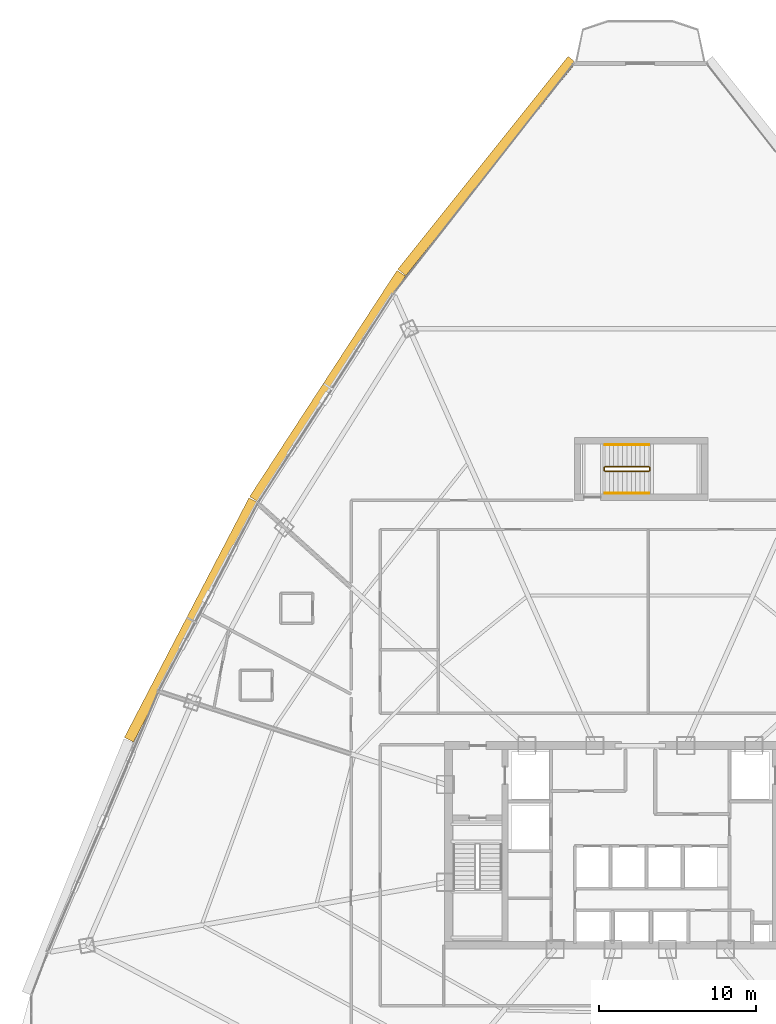
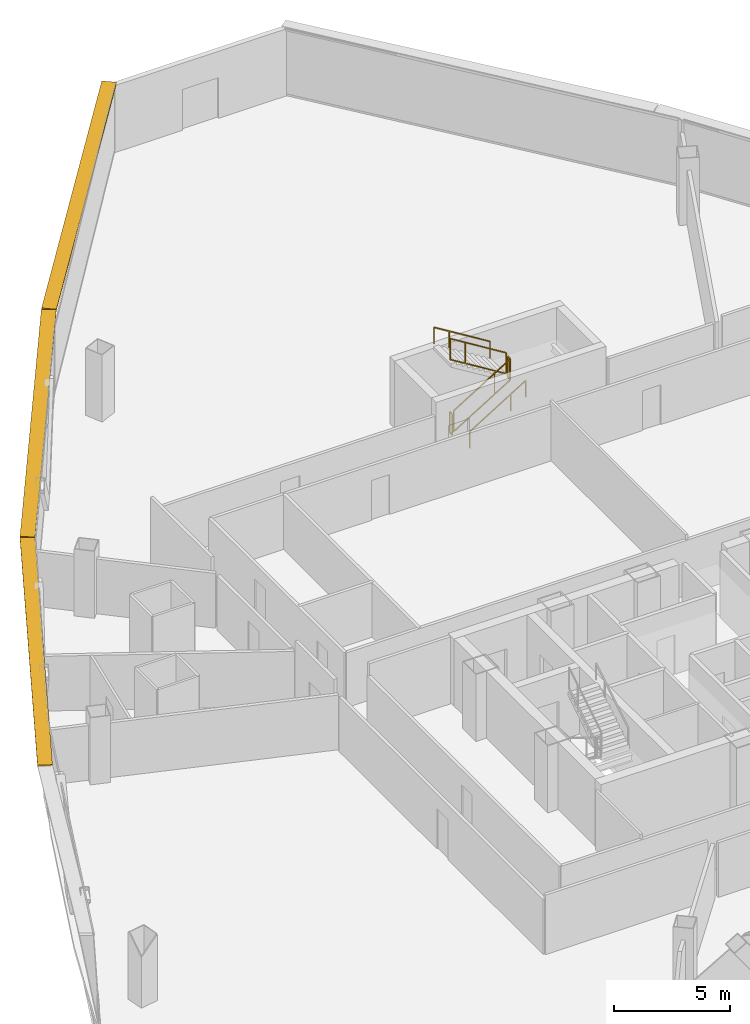
# One storey, part 39 of 40: 6 railings, 3 shading devices.
"""IFC4 building model written with IfcOpenShell, lengths in metres."""

from ifc_helpers import new_model, si_unit, direction, frame, origin, origin_2d, place, context, subcontext, project, spatial, rectangle, extrude, source, transform, mapped, material, layer, layer_set, type_object, element, save


model = new_model("IFC4")

# Units and contexts
model_context = context("Model", 3, precision=1e-05, world=origin(), true_north=direction((0.0, 1.0)))
body_context = subcontext(model_context, "Body", "Model", "MODEL_VIEW")
ifc_project = project(units=[si_unit("LENGTHUNIT", "METRE"), si_unit("AREAUNIT", "SQUARE_METRE"), si_unit("VOLUMEUNIT", "CUBIC_METRE"), si_unit("PLANEANGLEUNIT", "RADIAN"), si_unit("MASSUNIT", "GRAM", prefix="KILO"), si_unit("THERMODYNAMICTEMPERATUREUNIT", "KELVIN"), si_unit("POWERUNIT", "WATT")], contexts=[model_context])

# Site, building, storey
site_placement = place(None, origin())
site = spatial("IfcSite", under=ifc_project, at=site_placement, CompositionType="ELEMENT")
building_placement = place(site_placement, origin())
building = spatial("IfcBuilding", under=site, at=building_placement, Name="Yunzhuo Pagoda Commons", CompositionType="ELEMENT")
storey_placement = place(building_placement, frame((0.0, 0.0, 184.760009765625)))
storey = spatial("IfcBuildingStorey", under=building, at=storey_placement, Name="L46", CompositionType="ELEMENT", Elevation=184.760009765625)

# Railings
ifc_material = material(Name="Anodized aluminium 6063-T6", Category="aluminium")
railing_type_1 = type_object("IfcRailingType", Name="GR-ST3 North Well Guardrail 1155", PredefinedType="GUARDRAIL", material=ifc_material)
railing_1_placement = place(storey_placement, frame((45.75, 57.64990234375, 0.172607421875)))
element("IfcRailing", 1, at=railing_1_placement, inside=storey, type_object=railing_type_1, Name="L46 ST3 stair guard 1", PredefinedType="GUARDRAIL", context=body_context, shape_type="SweptSolid", body=[
    extrude(rectangle(XDim=0.048095703125, YDim=0.048095703125, at=origin_2d()), frame((0.0, 0.0, 1.1259765625), z_axis=(0.851089632645, 0.0, 0.525020415988), x_axis=(0.0, 1.0, 0.0)), (0.0, 0.0, 1.0), 3.2900390625),
    extrude(rectangle(XDim=0.048095703125, YDim=0.048095703125, at=origin_2d()), frame((0.0, 0.0, 0.02392578125), z_axis=(0.851089632645, 0.0, 0.525020415988), x_axis=(0.0, 1.0, 0.0)), (0.0, 0.0, 1.0), 3.2900390625),
    extrude(rectangle(XDim=0.0419921875, YDim=0.0419921875, at=origin_2d()), origin(), (0.0, 0.0, 1.0), 1.101806640625),
    extrude(rectangle(XDim=0.0419921875, YDim=0.0419921875, at=origin_2d()), frame((2.042724609375, 0.0, 1.260009765625)), (0.0, 0.0, 1.0), 1.101806640625),
    extrude(rectangle(XDim=0.0419921875, YDim=0.0419921875, at=origin_2d()), frame((2.800048828125, 0.0, 1.727294921875)), (0.0, 0.0, 1.0), 1.101806640625),
])
railing_2_placement = place(storey_placement, frame((48.60009765625, 57.699951171875, 1.89990234375)))
element("IfcRailing", 2, at=railing_2_placement, inside=storey, type_object=railing_type_1, Name="L46 ST3 stair guard 2", PredefinedType="GUARDRAIL", context=body_context, shape_type="SweptSolid", body=[
    extrude(rectangle(XDim=0.048095703125, YDim=0.048095703125, at=origin_2d()), frame((0.0, 0.0, 1.1259765625), z_axis=(0.0, 1.0, 0.0), x_axis=(-1.0, 0.0, 0.0)), (0.0, 0.0, 1.0), 0.199951171875),
    extrude(rectangle(XDim=0.048095703125, YDim=0.048095703125, at=origin_2d()), frame((0.0, 0.0, 0.02392578125), z_axis=(0.0, 1.0, 0.0), x_axis=(-1.0, 0.0, 0.0)), (0.0, 0.0, 1.0), 0.199951171875),
    extrude(rectangle(XDim=0.0419921875, YDim=0.0419921875, at=origin_2d()), origin(), (0.0, 0.0, 1.0), 1.101806640625),
    extrude(rectangle(XDim=0.0419921875, YDim=0.0419921875, at=origin_2d()), frame((0.0, 0.199951171875, 0.0)), (0.0, 0.0, 1.0), 1.101806640625),
])
railing_3_placement = place(storey_placement, frame((48.550048828125, 57.949951171875, 2.07275390625)))
element("IfcRailing", 3, at=railing_3_placement, inside=storey, type_object=railing_type_1, Name="L46 ST3 stair guard 3", PredefinedType="GUARDRAIL", context=body_context, shape_type="SweptSolid", body=[
    extrude(rectangle(XDim=0.048095703125, YDim=0.048095703125, at=origin_2d()), frame((0.0, 0.0, 1.1259765625), z_axis=(-0.851089632645, 0.0, 0.525020415988), x_axis=(0.0, -1.0, 0.0)), (0.0, 0.0, 1.0), 3.2900390625),
    extrude(rectangle(XDim=0.048095703125, YDim=0.048095703125, at=origin_2d()), frame((0.0, 0.0, 0.02392578125), z_axis=(-0.851089632645, 0.0, 0.525020415988), x_axis=(0.0, -1.0, 0.0)), (0.0, 0.0, 1.0), 3.2900390625),
    extrude(rectangle(XDim=0.0419921875, YDim=0.0419921875, at=origin_2d()), origin(), (0.0, 0.0, 1.0), 1.101806640625),
    extrude(rectangle(XDim=0.0419921875, YDim=0.0419921875, at=origin_2d()), frame((-2.042724609375, 0.0, 1.260009765625)), (0.0, 0.0, 1.0), 1.101806640625),
    extrude(rectangle(XDim=0.0419921875, YDim=0.0419921875, at=origin_2d()), frame((-2.800048828125, 0.0, 1.727294921875)), (0.0, 0.0, 1.0), 1.101806640625),
])
railing_4_placement = place(storey_placement, frame((45.699951171875, 57.699951171875, 0.0)))
element("IfcRailing", 4, at=railing_4_placement, inside=storey, type_object=railing_type_1, Name="L46 ST3 stair guard 4", PredefinedType="GUARDRAIL", context=body_context, shape_type="SweptSolid", body=[
    extrude(rectangle(XDim=0.048095703125, YDim=0.048095703125, at=origin_2d()), frame((0.0, 0.0, 1.1259765625), z_axis=(0.0, 1.0, 0.0), x_axis=(-1.0, 0.0, 0.0)), (0.0, 0.0, 1.0), 0.199951171875),
    extrude(rectangle(XDim=0.048095703125, YDim=0.048095703125, at=origin_2d()), frame((0.0, 0.0, 0.02392578125), z_axis=(0.0, 1.0, 0.0), x_axis=(-1.0, 0.0, 0.0)), (0.0, 0.0, 1.0), 0.199951171875),
    extrude(rectangle(XDim=0.0419921875, YDim=0.0419921875, at=origin_2d()), origin(), (0.0, 0.0, 1.0), 1.101806640625),
    extrude(rectangle(XDim=0.0419921875, YDim=0.0419921875, at=origin_2d()), frame((0.0, 0.199951171875, 0.0)), (0.0, 0.0, 1.0), 1.101806640625),
])
railing_type_2 = type_object("IfcRailingType", Name="HR-ST3 North Stair Handrail 900", PredefinedType="HANDRAIL", material=ifc_material)
railing_5_placement = place(storey_placement, frame((45.75, 56.25, 0.172607421875)))
element("IfcRailing", 5, at=railing_5_placement, inside=storey, type_object=railing_type_2, Name="L46 ST3 stair handrail 1", PredefinedType="HANDRAIL", context=body_context, shape_type="SweptSolid", body=[
    extrude(rectangle(XDim=0.048095703125, YDim=0.048095703125, at=origin_2d()), frame((0.0, 0.0, 0.8759765625), z_axis=(0.851089632645, 0.0, 0.525020415988), x_axis=(0.0, 1.0, 0.0)), (0.0, 0.0, 1.0), 3.2900390625),
    extrude(rectangle(XDim=0.0419921875, YDim=0.0419921875, at=origin_2d()), origin(), (0.0, 0.0, 1.0), 0.851806640625),
    extrude(rectangle(XDim=0.0419921875, YDim=0.0419921875, at=origin_2d()), frame((2.042724609375, 0.0, 1.260009765625)), (0.0, 0.0, 1.0), 0.851806640625),
    extrude(rectangle(XDim=0.0419921875, YDim=0.0419921875, at=origin_2d()), frame((2.800048828125, 0.0, 1.727294921875)), (0.0, 0.0, 1.0), 0.851806640625),
])
railing_6_placement = place(storey_placement, frame((48.550048828125, 59.35009765625, 2.07275390625)))
element("IfcRailing", 6, at=railing_6_placement, inside=storey, type_object=railing_type_2, Name="L46 ST3 stair handrail 2", PredefinedType="HANDRAIL", context=body_context, shape_type="SweptSolid", body=[
    extrude(rectangle(XDim=0.048095703125, YDim=0.048095703125, at=origin_2d()), frame((0.0, 0.0, 0.8759765625), z_axis=(-0.851089632645, 0.0, 0.525020415988), x_axis=(0.0, -1.0, 0.0)), (0.0, 0.0, 1.0), 3.2900390625),
    extrude(rectangle(XDim=0.0419921875, YDim=0.0419921875, at=origin_2d()), origin(), (0.0, 0.0, 1.0), 0.851806640625),
    extrude(rectangle(XDim=0.0419921875, YDim=0.0419921875, at=origin_2d()), frame((-2.042724609375, 0.0, 1.260009765625)), (0.0, 0.0, 1.0), 0.851806640625),
    extrude(rectangle(XDim=0.0419921875, YDim=0.0419921875, at=origin_2d()), frame((-2.800048828125, 0.0, 1.727294921875)), (0.0, 0.0, 1.0), 0.851806640625),
])

# Shading devices
ifc_layer = layer(ifc_material, 0.080078125)
ifc_layer_set = layer_set([ifc_layer], Name="Anodized aluminium 6063-T6")
shading_device_type = type_object("IfcShadingDeviceType", Name="SH-SUN1 Pagoda Horizontal Sunshade Eave 650", PredefinedType="USERDEFINED", material=ifc_layer_set)
shared_shape_1 = source(origin(), body_context, "Body", "SweptSolid", [
    extrude(rectangle(XDim=17.1708984375, YDim=0.64990234375, at=origin_2d()), origin(), (0.0, 0.0, 1.0), 0.080078125),
])
for number, where, z_axis, x_axis, name in (
    (7, (28.110107421875, 63.06298828125, 3.4599609375), (0.0, 0.0, 1.0), (-0.545838756973, -0.837890238269, 0.0), "L46 horizontal pagoda sunshade eave F3.2"),
    (8, (19.43212890625, 48.19677734375, 3.4599609375), (0.0, 0.0, 1.0), (-0.461206683033, -0.88729273384, 0.0), "L46 horizontal pagoda sunshade eave F3.3"),
):
    element("IfcShadingDevice", number, at=place(storey_placement, frame(where, z_axis=z_axis, x_axis=x_axis)), inside=storey, type_object=shading_device_type, Name=name, ObjectType="SUNSHADE", PredefinedType="USERDEFINED", context=body_context, shape_type="MappedRepresentation", body=[
        mapped(shared_shape_1, transform((0.0, 0.0, 0.0), scale=1.0)),
    ])
shared_shape_2 = source(origin(), body_context, "Body", "SweptSolid", [
    extrude(rectangle(XDim=17.33544921875, YDim=0.64990234375, at=origin_2d()), origin(), (0.0, 0.0, 1.0), 0.080078125),
])
shading_device_placement = place(storey_placement, frame((38.24658203125, 77.077392578125, 3.4599609375), z_axis=(0.0, 0.0, 1.0), x_axis=(-0.624520471688, -0.781008438138, 0.0)))
element("IfcShadingDevice", 9, at=shading_device_placement, inside=storey, type_object=shading_device_type, Name="L46 horizontal pagoda sunshade eave F3.1", ObjectType="SUNSHADE", PredefinedType="USERDEFINED", context=body_context, shape_type="MappedRepresentation", body=[
    mapped(shared_shape_2, transform((0.0, 0.0, 0.0), scale=1.0)),
])

save(model, "model.ifc")
